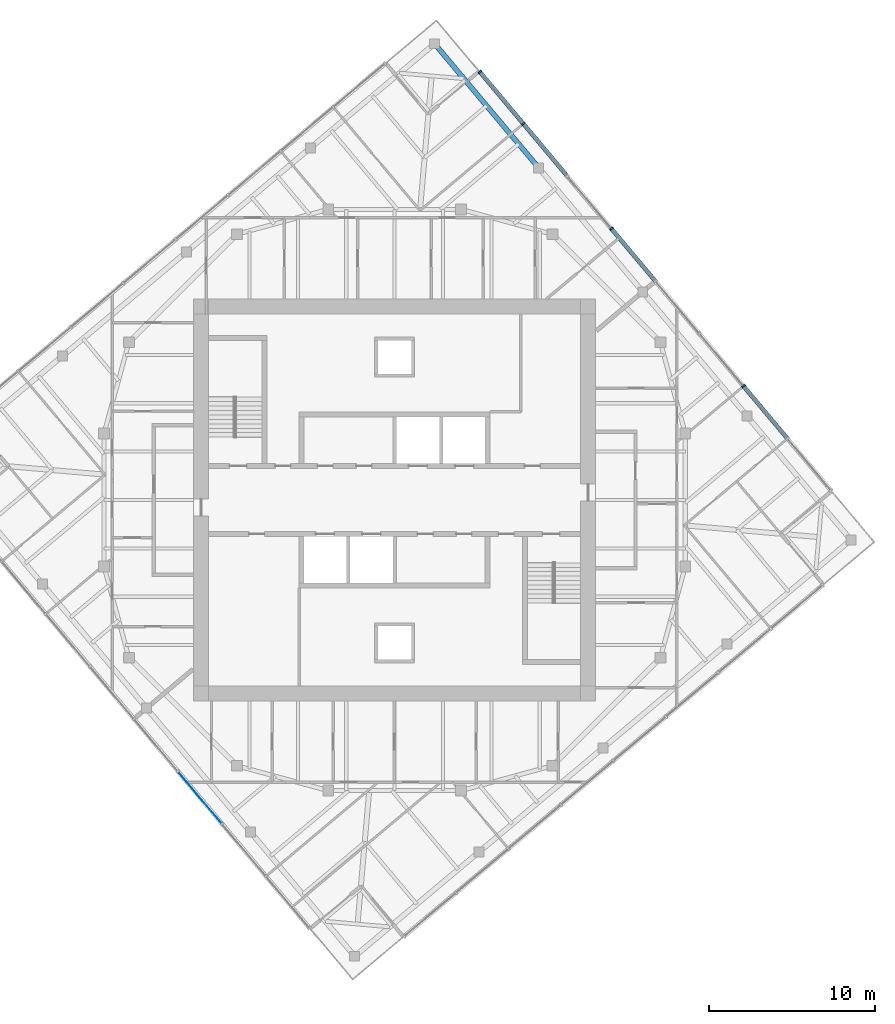
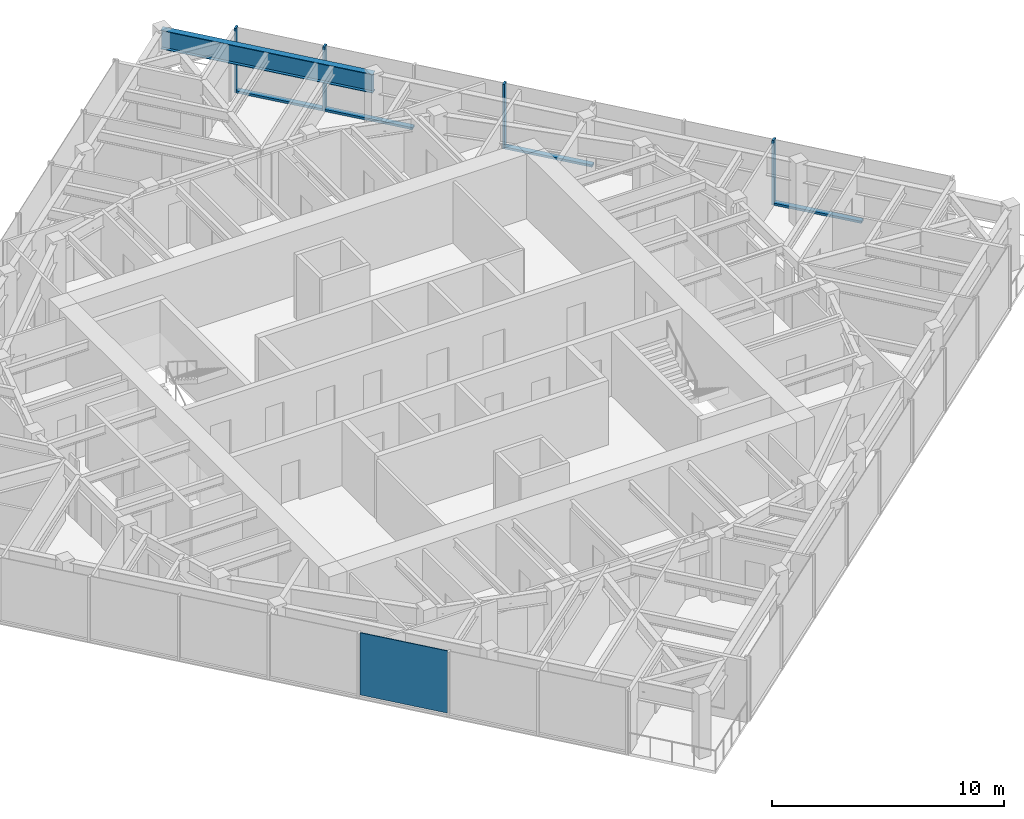
# One storey, part 5 of 11: 8 members, 1 beam, 1 plate, 2 elements without a shape of their own.
"""IFC4 building model written with IfcOpenShell, lengths in metres."""

import ifcopenshell
import ifcopenshell.guid

model = None  # the IFC model being written
_history = None  # IfcOwnerHistory: only IFC2X3 demands one
_inside = {}  # id of a spatial element -> (the spatial element, [elements in it])
_under = {}  # id of a project, library or spatial element -> (it, [spatial elements below it])
_declared = {}  # id of a project -> (the project, [libraries it declares])
_typed = {}  # id of a type object -> (the type object, [elements of that type])
_made_of = {}  # id of a material, layer set ... -> (it, [elements and type objects made of it])


def new_model(schema):
    """Start an empty IFC model of exactly this schema.

    Asked for "IFC4X3", IfcOpenShell would pick the latest addendum, in which some entities
    have other attributes; the version numbers below select the first issue.
    IFC2X3 requires an IfcOwnerHistory on every rooted entity: one is made here for all.
    """
    global model, _history
    if schema == "IFC4X3":
        model = ifcopenshell.file(schema_version=(4, 3, 0, 0))
    else:
        model = ifcopenshell.file(schema=schema)
    _inside.clear()
    _under.clear()
    _declared.clear()
    _typed.clear()
    _made_of.clear()
    _history = None
    if model.schema == "IFC2X3":
        org = make("IfcOrganization", Name="unknown")
        user = make(
            "IfcPersonAndOrganization",
            ThePerson=make("IfcPerson", FamilyName="unknown"),
            TheOrganization=org,
        )
        app = make(
            "IfcApplication",
            ApplicationDeveloper=org,
            Version="unknown",
            ApplicationFullName="unknown",
            ApplicationIdentifier="unknown",
        )
        _history = make(
            "IfcOwnerHistory",
            OwningUser=user,
            OwningApplication=app,
            ChangeAction="ADDED",
            CreationDate=0,
        )
    return model


def make(cls, **values):
    """One entity of the class cls with the attributes given. An attribute that is None is left unset."""
    return model.create_entity(
        cls, **{name: value for name, value in values.items() if value is not None}
    )


def rooted(cls, **values):
    """An entity with a GlobalId (a new one), such as an element, a storey or a relation."""
    return make(cls, GlobalId=ifcopenshell.guid.new(), OwnerHistory=_history, **values)


def si_unit(unit_type, name, prefix=None):
    """IfcSIUnit, for example si_unit("LENGTHUNIT", "METRE", prefix="MILLI")."""
    return make("IfcSIUnit", UnitType=unit_type, Prefix=prefix, Name=name)


def assignment(units):
    """IfcUnitAssignment: the units of a project."""
    return None if units is None else make("IfcUnitAssignment", Units=units)


def point(xyz):
    """IfcCartesianPoint."""
    return None if xyz is None else make("IfcCartesianPoint", Coordinates=xyz)


def direction(xyz):
    """IfcDirection."""
    return None if xyz is None else make("IfcDirection", DirectionRatios=xyz)


def frame(location, z_axis=None, x_axis=None):
    """IfcAxis2Placement3D, a coordinate frame: its origin and axes. An axis left out is left unset."""
    return make(
        "IfcAxis2Placement3D",
        Location=point(location),
        Axis=direction(z_axis),
        RefDirection=direction(x_axis),
    )


def frame_2d(location, x_axis=None):
    """IfcAxis2Placement2D, a coordinate frame in the plane: its origin and x axis."""
    return make(
        "IfcAxis2Placement2D", Location=point(location), RefDirection=direction(x_axis)
    )


def origin():
    """The frame at (0, 0, 0) with its axes left unset."""
    return frame((0.0, 0.0, 0.0))


def origin_2d():
    """The frame at (0, 0) in the plane with its x axis left unset."""
    return frame_2d((0.0, 0.0))


def place(relative_to, where):
    """IfcLocalPlacement: puts the frame where relative to a parent placement (None: the world)."""
    return make(
        "IfcLocalPlacement", PlacementRelTo=relative_to, RelativePlacement=where
    )


def context(
    kind, dimensions, precision=None, world=None, true_north=None, identifier=None
):
    """IfcGeometricRepresentationContext, for example the 3D "Model" context."""
    return make(
        "IfcGeometricRepresentationContext",
        ContextIdentifier=identifier,
        ContextType=kind,
        CoordinateSpaceDimension=dimensions,
        Precision=precision,
        WorldCoordinateSystem=world,
        TrueNorth=true_north,
    )


def subcontext(parent, identifier, kind, view, scale=None):
    """IfcGeometricRepresentationSubContext, for example "Body" below "Model"."""
    return make(
        "IfcGeometricRepresentationSubContext",
        ContextIdentifier=identifier,
        ContextType=kind,
        ParentContext=parent,
        TargetScale=scale,
        TargetView=view,
    )


def project(units=None, contexts=None):
    """IfcProject with its units and contexts."""
    return rooted(
        "IfcProject",
        Name="project",
        RepresentationContexts=contexts,
        UnitsInContext=assignment(units),
    )


def spatial(cls, under=None, at=None, **own):
    """A site, building, storey or space (cls), placed at a placement, below another one or the project."""
    s = rooted(cls, ObjectPlacement=at, **own)
    if under is not None:
        _under.setdefault(under.id(), (under, []))[1].append(s)
    return s


def profile(cls, at=None, kind="AREA", **sizes):
    """A parametric profile (cls). Its sizes go by their IFC names, for example OverallWidth=200.0."""
    return make(cls, ProfileType=kind, Position=at, **sizes)


def rectangle(**sizes):
    """IfcRectangleProfileDef."""
    return profile("IfcRectangleProfileDef", **sizes)


def i_section(**sizes):
    """IfcIShapeProfileDef."""
    return profile("IfcIShapeProfileDef", **sizes)


def extrude(swept, where, along, depth):
    """IfcExtrudedAreaSolid: the profile swept, set in the frame where, extruded along a direction by depth."""
    return make(
        "IfcExtrudedAreaSolid",
        SweptArea=swept,
        Position=where,
        ExtrudedDirection=direction(along),
        Depth=depth,
    )


def shape(context_of_items, identifier, shape_type, items):
    """IfcShapeRepresentation: the items that make up one representation, for example the "Body"."""
    return make(
        "IfcShapeRepresentation",
        ContextOfItems=context_of_items,
        RepresentationIdentifier=identifier,
        RepresentationType=shape_type,
        Items=items,
    )


def material(Name=None, Category=None):
    """IfcMaterial."""
    return make("IfcMaterial", Name=Name, Category=Category)


def layer(
    of_material, thickness, ventilated=None, Name=None, Category=None, Priority=None
):
    """IfcMaterialLayer: one layer of a wall or slab, of a material (None: an air gap)."""
    return make(
        "IfcMaterialLayer",
        Material=of_material,
        LayerThickness=thickness,
        IsVentilated=ventilated,
        Name=Name,
        Category=Category,
        Priority=Priority,
    )


def layer_set(layers, Name=None):
    """IfcMaterialLayerSet."""
    return make("IfcMaterialLayerSet", MaterialLayers=layers, LayerSetName=Name)


def material_profile(
    of_material, cross_section, Name=None, Category=None, Priority=None
):
    """IfcMaterialProfile: a cross section and its material."""
    return make(
        "IfcMaterialProfile",
        Name=Name,
        Material=of_material,
        Profile=cross_section,
        Priority=Priority,
        Category=Category,
    )


def profile_set(profiles, Name=None, composite=None):
    """IfcMaterialProfileSet."""
    return make(
        "IfcMaterialProfileSet",
        Name=Name,
        MaterialProfiles=profiles,
        CompositeProfile=composite,
    )


def made_of(thing, what):
    """Note that an element or type object is made of a material, layer set ...; save() writes the relation."""
    if what is not None:
        _made_of.setdefault(what.id(), (what, []))[1].append(thing)
    return thing


def type_object(cls, material=None, **own):
    """A type object (cls), such as IfcWallType, which elements share."""
    return made_of(rooted(cls, **own), material)


def element(
    cls,
    number,
    at=None,
    inside=None,
    cuts=None,
    type_object=None,
    material=None,
    context=None,
    identifier="Body",
    shape_type=None,
    held_by="IfcProductDefinitionShape",
    body=None,
    shapes=None,
    **own,
):
    """One element of the class cls, such as IfcWall. Its Tag is "e" and its number.

    at: its placement. inside: the storey or other place that contains it. cuts: it is an
    opening in that element (IfcRelVoidsElement). A single representation is given by context,
    identifier, shape_type and body (its items); several are given by shapes. held_by: the class
    of the entity that holds the representations. save() writes the other relations.
    """
    e = rooted(cls, Tag="e%d" % number, ObjectPlacement=at, **own)
    if body is not None:
        shapes = [shape(context, identifier, shape_type, body)]
    if shapes is not None:
        e.Representation = make(held_by, Representations=shapes)
    if inside is not None:
        _inside.setdefault(inside.id(), (inside, []))[1].append(e)
    if cuts is not None:
        rooted(
            "IfcRelVoidsElement", RelatingBuildingElement=cuts, RelatedOpeningElement=e
        )
    if type_object is not None:
        _typed.setdefault(type_object.id(), (type_object, []))[1].append(e)
    return made_of(e, material)


def aggregate(whole, parts):
    """IfcRelAggregates: a whole, such as a stair, and the parts it consists of."""
    return rooted("IfcRelAggregates", RelatingObject=whole, RelatedObjects=parts)


def save(model, path):
    """Write the relations noted so far, then the file.

    IfcRelAggregates (storeys below a building ...), IfcRelContainedInSpatialStructure (elements
    in a storey), IfcRelDefinesByType, IfcRelAssociatesMaterial and IfcRelDeclares: one each for
    every whole, place, type object, material and project.
    """
    for whole, parts in _under.values():
        aggregate(whole, parts)
    for where, things in _inside.values():
        rooted(
            "IfcRelContainedInSpatialStructure",
            RelatedElements=things,
            RelatingStructure=where,
        )
    for kind, things in _typed.values():
        rooted("IfcRelDefinesByType", RelatedObjects=things, RelatingType=kind)
    for what, things in _made_of.values():
        rooted("IfcRelAssociatesMaterial", RelatedObjects=things, RelatingMaterial=what)
    for by, libraries in _declared.values():
        rooted("IfcRelDeclares", RelatingContext=by, RelatedDefinitions=libraries)
    model.write(path)


model = new_model("IFC4")

# Units and contexts
model_context = context("Model", 3, precision=1e-05, world=origin(), true_north=direction((0.0, 1.0)))
body_context = subcontext(model_context, "Body", "Model", "MODEL_VIEW")
ifc_project = project(units=[si_unit("LENGTHUNIT", "METRE"), si_unit("AREAUNIT", "SQUARE_METRE"), si_unit("VOLUMEUNIT", "CUBIC_METRE"), si_unit("PLANEANGLEUNIT", "RADIAN"), si_unit("MASSUNIT", "GRAM", prefix="KILO")], contexts=[model_context])

# Site, building, storey
site_placement = place(None, origin())
site = spatial("IfcSite", under=ifc_project, at=site_placement, CompositionType="ELEMENT")
building_placement = place(site_placement, origin())
building = spatial("IfcBuilding", under=site, at=building_placement, Name="Torsade Residences", CompositionType="ELEMENT")
storey_placement = place(building_placement, frame((0.0, 0.0, 272.60009765625)))
storey = spatial("IfcBuildingStorey", under=building, at=storey_placement, Name="L75", CompositionType="ELEMENT", Elevation=272.60009765625)

# Beam
ifc_material_1 = material(Name="Steel grade 300", Category="steel")
ifc_material_profile_1 = material_profile(ifc_material_1, i_section(OverallWidth=0.300048828125, OverallDepth=1.0, WebThickness=0.01611328125, FlangeThickness=0.028076171875, at=origin_2d()), Name="1000WB215")
ifc_profile_set_1 = profile_set([ifc_material_profile_1], Name="Steel grade 300")
beam_type = type_object("IfcBeamType", Name="EDGE BEAM 1000WB215", PredefinedType="SPANDREL", material=ifc_profile_set_1)
beam_placement = place(storey_placement, frame((48.670654296875, 50.003173828125, 2.75), z_axis=(-0.642779160279, 0.766051532934, 0.0), x_axis=(-0.766051532934, -0.642779160279, 0.0)))
element("IfcBeam", 1, at=beam_placement, inside=storey, type_object=beam_type, Name="Edge beam 08 L76", PredefinedType="SPANDREL", context=body_context, shape_type="SweptSolid", body=[
    extrude(i_section(OverallWidth=0.300048828125, OverallDepth=1.0, WebThickness=0.01611328125, FlangeThickness=0.028076171875, at=origin_2d()), origin(), (0.0, 0.0, 1.0), 9.75),
])

# Curtain wall, members
ifc_material_2 = material(Name="Aluminium and glass", Category="aluminium")
curtain_wall_type = type_object("IfcCurtainWallType", Name="FRITTED GLASS CURTAIN WALL HIGH ZONE", PredefinedType="NOTDEFINED", material=ifc_material_2)
curtain_wall_1_placement = place(storey_placement, origin())
curtain_wall_1 = element("IfcCurtainWall", 2, at=curtain_wall_1_placement, inside=storey, type_object=curtain_wall_type, Name="Curtain wall L75 face 4", PredefinedType="NOTDEFINED")
ifc_material_3 = material(Name="Aluminium mullion", Category="aluminium")
ifc_material_profile_2 = material_profile(ifc_material_3, rectangle(XDim=0.25, YDim=0.10009765625, at=origin_2d()), Name="HIGH ZONE CURTAIN WALL MULLION 250x100")
ifc_profile_set_2 = profile_set([ifc_material_profile_2], Name="Aluminium mullion")
member_type_1 = type_object("IfcMemberType", Name="HIGH ZONE CURTAIN WALL MULLION 250x100", PredefinedType="MULLION", material=ifc_profile_set_2)
member_1_placement = place(storey_placement, frame((61.0068359375, 36.857177734375, 0.0), z_axis=(0.0, 0.0, 1.0), x_axis=(-0.766044437106, -0.642787616853, 0.0)))
member_1 = element("IfcMember", 3, at=member_1_placement, type_object=member_type_1, Name="Mullion 3", PredefinedType="MULLION", context=body_context, shape_type="SweptSolid", body=[
    extrude(rectangle(XDim=0.25, YDim=0.10009765625, at=origin_2d()), origin(), (0.0, 0.0, 1.0), 3.39990234375),
])
member_2_placement = place(storey_placement, frame((53.052490234375, 46.337158203125, 0.0), z_axis=(0.0, 0.0, 1.0), x_axis=(-0.766044437106, -0.642787616853, 0.0)))
member_2 = element("IfcMember", 4, at=member_2_placement, type_object=member_type_1, Name="Mullion 6", PredefinedType="MULLION", context=body_context, shape_type="SweptSolid", body=[
    extrude(rectangle(XDim=0.25, YDim=0.10009765625, at=origin_2d()), origin(), (0.0, 0.0, 1.0), 3.39990234375),
])
member_3_placement = place(storey_placement, frame((47.74951171875, 52.656982421875, 0.0), z_axis=(0.0, 0.0, 1.0), x_axis=(-0.766044437106, -0.642787616853, 0.0)))
member_3 = element("IfcMember", 5, at=member_3_placement, type_object=member_type_1, Name="Mullion 8", PredefinedType="MULLION", context=body_context, shape_type="SweptSolid", body=[
    extrude(rectangle(XDim=0.25, YDim=0.10009765625, at=origin_2d()), origin(), (0.0, 0.0, 1.0), 3.39990234375),
])
member_4_placement = place(storey_placement, frame((45.130126953125, 55.778564453125, 0.0), z_axis=(0.0, 0.0, 1.0), x_axis=(-0.766044437106, -0.642787616853, 0.0)))
member_4 = element("IfcMember", 6, at=member_4_placement, type_object=member_type_1, Name="Mullion 9", PredefinedType="MULLION", context=body_context, shape_type="SweptSolid", body=[
    extrude(rectangle(XDim=0.25, YDim=0.10009765625, at=origin_2d()), origin(), (0.0, 0.0, 1.0), 3.39990234375),
])
ifc_material_4 = material(Name="Aluminium transom", Category="aluminium")
ifc_material_profile_3 = material_profile(ifc_material_4, rectangle(XDim=0.25, YDim=0.1201171875, at=origin_2d()), Name="HIGH ZONE CURTAIN WALL TRANSOM 250x120")
ifc_profile_set_3 = profile_set([ifc_material_profile_3], Name="Aluminium transom")
member_type_2 = type_object("IfcMemberType", Name="HIGH ZONE CURTAIN WALL TRANSOM 250x120", PredefinedType="USERDEFINED", material=ifc_profile_set_3)
member_5_placement = place(storey_placement, frame((63.626220703125, 33.735595703125, 0.059814453125), z_axis=(-0.6427581255, 0.766069182322, 0.0), x_axis=(-0.766069182322, -0.6427581255, 0.0)))
member_5 = element("IfcMember", 7, at=member_5_placement, type_object=member_type_2, Name="Transom 2.1", ObjectType="TRANSOM", PredefinedType="USERDEFINED", context=body_context, shape_type="SweptSolid", body=[
    extrude(rectangle(XDim=0.25, YDim=0.1201171875, at=origin_2d()), origin(), (0.0, 0.0, 1.0), 4.025146484375),
])
member_6_placement = place(storey_placement, frame((55.671875, 43.21533203125, 0.059814453125), z_axis=(-0.642793719372, 0.766039316443, 0.0), x_axis=(-0.766039316443, -0.642793719372, 0.0)))
member_6 = element("IfcMember", 8, at=member_6_placement, type_object=member_type_2, Name="Transom 5.1", ObjectType="TRANSOM", PredefinedType="USERDEFINED", context=body_context, shape_type="SweptSolid", body=[
    extrude(rectangle(XDim=0.25, YDim=0.1201171875, at=origin_2d()), origin(), (0.0, 0.0, 1.0), 4.025146484375),
])
member_7_placement = place(storey_placement, frame((50.36865234375, 49.535400390625, 0.059814453125), z_axis=(-0.642787992616, 0.766044121803, 0.0), x_axis=(-0.766044121803, -0.642787992616, 0.0)))
member_7 = element("IfcMember", 9, at=member_7_placement, type_object=member_type_2, Name="Transom 7.1", ObjectType="TRANSOM", PredefinedType="USERDEFINED", context=body_context, shape_type="SweptSolid", body=[
    extrude(rectangle(XDim=0.25, YDim=0.1201171875, at=origin_2d()), origin(), (0.0, 0.0, 1.0), 4.02490234375),
])
member_8_placement = place(storey_placement, frame((47.71728515625, 52.6953125, 0.059814453125), z_axis=(-0.642814619413, 0.766021778456, 0.0), x_axis=(-0.766021778456, -0.642814619413, 0.0)))
member_8 = element("IfcMember", 10, at=member_8_placement, type_object=member_type_2, Name="Transom 8.1", ObjectType="TRANSOM", PredefinedType="USERDEFINED", context=body_context, shape_type="SweptSolid", body=[
    extrude(rectangle(XDim=0.25, YDim=0.1201171875, at=origin_2d()), origin(), (0.0, 0.0, 1.0), 3.97509765625),
])
aggregate(curtain_wall_1, [member_1, member_2, member_3, member_4, member_5, member_6, member_7, member_8])

# Curtain wall, plate
curtain_wall_2_placement = place(storey_placement, origin())
curtain_wall_2 = element("IfcCurtainWall", 11, at=curtain_wall_2_placement, inside=storey, type_object=curtain_wall_type, Name="Curtain wall L75 face 10", PredefinedType="NOTDEFINED")
ifc_material_5 = material(Name="Laminated glass", Category="glass")
ifc_layer = layer(ifc_material_5, 0.0400390625)
ifc_layer_set = layer_set([ifc_layer], Name="Laminated glass")
plate_type = type_object("IfcPlateType", Name="OPERABLE VENT PANEL", PredefinedType="CURTAIN_PANEL", material=ifc_layer_set)
plate_placement = place(storey_placement, frame((28.2734375, 12.0830078125, 0.1201171875), z_axis=(0.0, 0.0, 1.0), x_axis=(0.642787616853, -0.766044437106, 0.0)))
plate = element("IfcPlate", 12, at=plate_placement, type_object=plate_type, Name="Panel 6", PredefinedType="CURTAIN_PANEL", context=body_context, shape_type="SweptSolid", body=[
    extrude(rectangle(XDim=4.02490234375, YDim=0.0400390625, at=origin_2d()), origin(), (0.0, 0.0, 1.0), 3.280029296875),
])
aggregate(curtain_wall_2, [plate])

save(model, "model.ifc")
